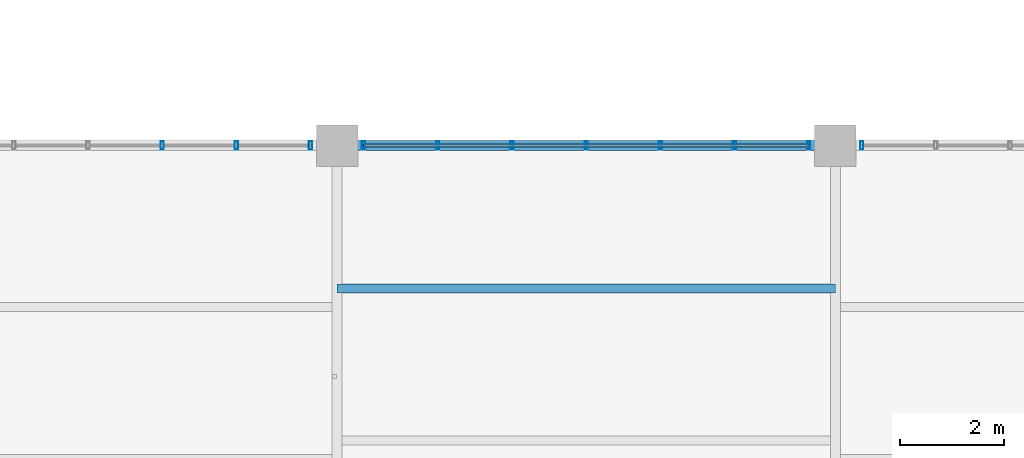
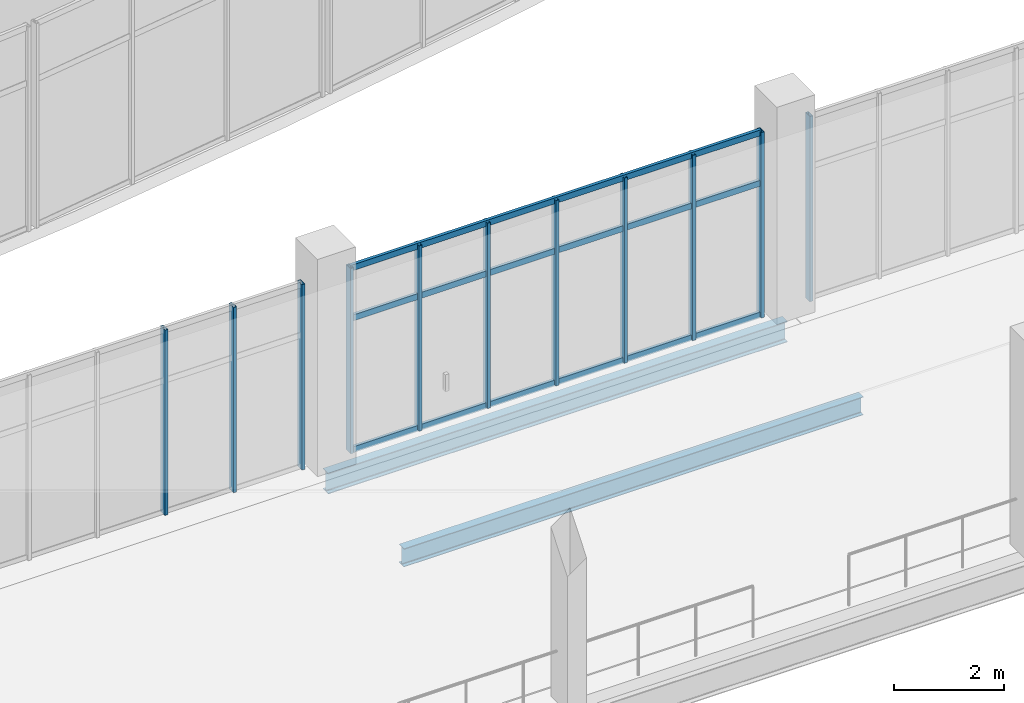
# One storey, part 63 of 157: 14 members, 2 beams, 3 elements without a shape of their own.
"""IFC4 building model written with IfcOpenShell, lengths in metres."""

import ifcopenshell
import ifcopenshell.guid

model = None  # the IFC model being written
_history = None  # IfcOwnerHistory: only IFC2X3 demands one
_inside = {}  # id of a spatial element -> (the spatial element, [elements in it])
_under = {}  # id of a project, library or spatial element -> (it, [spatial elements below it])
_declared = {}  # id of a project -> (the project, [libraries it declares])
_typed = {}  # id of a type object -> (the type object, [elements of that type])
_made_of = {}  # id of a material, layer set ... -> (it, [elements and type objects made of it])


def new_model(schema):
    """Start an empty IFC model of exactly this schema.

    Asked for "IFC4X3", IfcOpenShell would pick the latest addendum, in which some entities
    have other attributes; the version numbers below select the first issue.
    IFC2X3 requires an IfcOwnerHistory on every rooted entity: one is made here for all.
    """
    global model, _history
    if schema == "IFC4X3":
        model = ifcopenshell.file(schema_version=(4, 3, 0, 0))
    else:
        model = ifcopenshell.file(schema=schema)
    _inside.clear()
    _under.clear()
    _declared.clear()
    _typed.clear()
    _made_of.clear()
    _history = None
    if model.schema == "IFC2X3":
        org = make("IfcOrganization", Name="unknown")
        user = make(
            "IfcPersonAndOrganization",
            ThePerson=make("IfcPerson", FamilyName="unknown"),
            TheOrganization=org,
        )
        app = make(
            "IfcApplication",
            ApplicationDeveloper=org,
            Version="unknown",
            ApplicationFullName="unknown",
            ApplicationIdentifier="unknown",
        )
        _history = make(
            "IfcOwnerHistory",
            OwningUser=user,
            OwningApplication=app,
            ChangeAction="ADDED",
            CreationDate=0,
        )
    return model


def make(cls, **values):
    """One entity of the class cls with the attributes given. An attribute that is None is left unset."""
    return model.create_entity(
        cls, **{name: value for name, value in values.items() if value is not None}
    )


def rooted(cls, **values):
    """An entity with a GlobalId (a new one), such as an element, a storey or a relation."""
    return make(cls, GlobalId=ifcopenshell.guid.new(), OwnerHistory=_history, **values)


def si_unit(unit_type, name, prefix=None):
    """IfcSIUnit, for example si_unit("LENGTHUNIT", "METRE", prefix="MILLI")."""
    return make("IfcSIUnit", UnitType=unit_type, Prefix=prefix, Name=name)


def assignment(units):
    """IfcUnitAssignment: the units of a project."""
    return None if units is None else make("IfcUnitAssignment", Units=units)


def point(xyz):
    """IfcCartesianPoint."""
    return None if xyz is None else make("IfcCartesianPoint", Coordinates=xyz)


def direction(xyz):
    """IfcDirection."""
    return None if xyz is None else make("IfcDirection", DirectionRatios=xyz)


def frame(location, z_axis=None, x_axis=None):
    """IfcAxis2Placement3D, a coordinate frame: its origin and axes. An axis left out is left unset."""
    return make(
        "IfcAxis2Placement3D",
        Location=point(location),
        Axis=direction(z_axis),
        RefDirection=direction(x_axis),
    )


def frame_2d(location, x_axis=None):
    """IfcAxis2Placement2D, a coordinate frame in the plane: its origin and x axis."""
    return make(
        "IfcAxis2Placement2D", Location=point(location), RefDirection=direction(x_axis)
    )


def origin():
    """The frame at (0, 0, 0) with its axes left unset."""
    return frame((0.0, 0.0, 0.0))


def origin_2d():
    """The frame at (0, 0) in the plane with its x axis left unset."""
    return frame_2d((0.0, 0.0))


def place(relative_to, where):
    """IfcLocalPlacement: puts the frame where relative to a parent placement (None: the world)."""
    return make(
        "IfcLocalPlacement", PlacementRelTo=relative_to, RelativePlacement=where
    )


def context(
    kind, dimensions, precision=None, world=None, true_north=None, identifier=None
):
    """IfcGeometricRepresentationContext, for example the 3D "Model" context."""
    return make(
        "IfcGeometricRepresentationContext",
        ContextIdentifier=identifier,
        ContextType=kind,
        CoordinateSpaceDimension=dimensions,
        Precision=precision,
        WorldCoordinateSystem=world,
        TrueNorth=true_north,
    )


def subcontext(parent, identifier, kind, view, scale=None):
    """IfcGeometricRepresentationSubContext, for example "Body" below "Model"."""
    return make(
        "IfcGeometricRepresentationSubContext",
        ContextIdentifier=identifier,
        ContextType=kind,
        ParentContext=parent,
        TargetScale=scale,
        TargetView=view,
    )


def project(units=None, contexts=None):
    """IfcProject with its units and contexts."""
    return rooted(
        "IfcProject",
        Name="project",
        RepresentationContexts=contexts,
        UnitsInContext=assignment(units),
    )


def spatial(cls, under=None, at=None, **own):
    """A site, building, storey or space (cls), placed at a placement, below another one or the project."""
    s = rooted(cls, ObjectPlacement=at, **own)
    if under is not None:
        _under.setdefault(under.id(), (under, []))[1].append(s)
    return s


def profile(cls, at=None, kind="AREA", **sizes):
    """A parametric profile (cls). Its sizes go by their IFC names, for example OverallWidth=200.0."""
    return make(cls, ProfileType=kind, Position=at, **sizes)


def hollow_rectangle(**sizes):
    """IfcRectangleHollowProfileDef."""
    return profile("IfcRectangleHollowProfileDef", **sizes)


def i_section(**sizes):
    """IfcIShapeProfileDef."""
    return profile("IfcIShapeProfileDef", **sizes)


def extrude(swept, where, along, depth):
    """IfcExtrudedAreaSolid: the profile swept, set in the frame where, extruded along a direction by depth."""
    return make(
        "IfcExtrudedAreaSolid",
        SweptArea=swept,
        Position=where,
        ExtrudedDirection=direction(along),
        Depth=depth,
    )


def shape(context_of_items, identifier, shape_type, items):
    """IfcShapeRepresentation: the items that make up one representation, for example the "Body"."""
    return make(
        "IfcShapeRepresentation",
        ContextOfItems=context_of_items,
        RepresentationIdentifier=identifier,
        RepresentationType=shape_type,
        Items=items,
    )


def material(Name=None, Category=None):
    """IfcMaterial."""
    return make("IfcMaterial", Name=Name, Category=Category)


def layer(
    of_material, thickness, ventilated=None, Name=None, Category=None, Priority=None
):
    """IfcMaterialLayer: one layer of a wall or slab, of a material (None: an air gap)."""
    return make(
        "IfcMaterialLayer",
        Material=of_material,
        LayerThickness=thickness,
        IsVentilated=ventilated,
        Name=Name,
        Category=Category,
        Priority=Priority,
    )


def layer_set(layers, Name=None):
    """IfcMaterialLayerSet."""
    return make("IfcMaterialLayerSet", MaterialLayers=layers, LayerSetName=Name)


def material_profile(
    of_material, cross_section, Name=None, Category=None, Priority=None
):
    """IfcMaterialProfile: a cross section and its material."""
    return make(
        "IfcMaterialProfile",
        Name=Name,
        Material=of_material,
        Profile=cross_section,
        Priority=Priority,
        Category=Category,
    )


def profile_set(profiles, Name=None, composite=None):
    """IfcMaterialProfileSet."""
    return make(
        "IfcMaterialProfileSet",
        Name=Name,
        MaterialProfiles=profiles,
        CompositeProfile=composite,
    )


def made_of(thing, what):
    """Note that an element or type object is made of a material, layer set ...; save() writes the relation."""
    if what is not None:
        _made_of.setdefault(what.id(), (what, []))[1].append(thing)
    return thing


def type_object(cls, material=None, **own):
    """A type object (cls), such as IfcWallType, which elements share."""
    return made_of(rooted(cls, **own), material)


def element(
    cls,
    number,
    at=None,
    inside=None,
    cuts=None,
    type_object=None,
    material=None,
    context=None,
    identifier="Body",
    shape_type=None,
    held_by="IfcProductDefinitionShape",
    body=None,
    shapes=None,
    **own,
):
    """One element of the class cls, such as IfcWall. Its Tag is "e" and its number.

    at: its placement. inside: the storey or other place that contains it. cuts: it is an
    opening in that element (IfcRelVoidsElement). A single representation is given by context,
    identifier, shape_type and body (its items); several are given by shapes. held_by: the class
    of the entity that holds the representations. save() writes the other relations.
    """
    e = rooted(cls, Tag="e%d" % number, ObjectPlacement=at, **own)
    if body is not None:
        shapes = [shape(context, identifier, shape_type, body)]
    if shapes is not None:
        e.Representation = make(held_by, Representations=shapes)
    if inside is not None:
        _inside.setdefault(inside.id(), (inside, []))[1].append(e)
    if cuts is not None:
        rooted(
            "IfcRelVoidsElement", RelatingBuildingElement=cuts, RelatedOpeningElement=e
        )
    if type_object is not None:
        _typed.setdefault(type_object.id(), (type_object, []))[1].append(e)
    return made_of(e, material)


def aggregate(whole, parts):
    """IfcRelAggregates: a whole, such as a stair, and the parts it consists of."""
    return rooted("IfcRelAggregates", RelatingObject=whole, RelatedObjects=parts)


def save(model, path):
    """Write the relations noted so far, then the file.

    IfcRelAggregates (storeys below a building ...), IfcRelContainedInSpatialStructure (elements
    in a storey), IfcRelDefinesByType, IfcRelAssociatesMaterial and IfcRelDeclares: one each for
    every whole, place, type object, material and project.
    """
    for whole, parts in _under.values():
        aggregate(whole, parts)
    for where, things in _inside.values():
        rooted(
            "IfcRelContainedInSpatialStructure",
            RelatedElements=things,
            RelatingStructure=where,
        )
    for kind, things in _typed.values():
        rooted("IfcRelDefinesByType", RelatedObjects=things, RelatingType=kind)
    for what, things in _made_of.values():
        rooted("IfcRelAssociatesMaterial", RelatedObjects=things, RelatingMaterial=what)
    for by, libraries in _declared.values():
        rooted("IfcRelDeclares", RelatingContext=by, RelatedDefinitions=libraries)
    model.write(path)


model = new_model("IFC4")

# Units and contexts
model_context = context("Model", 3, precision=1e-05, world=origin(), true_north=direction((0.0, 1.0)))
body_context = subcontext(model_context, "Body", "Model", "MODEL_VIEW")
ifc_project = project(units=[si_unit("LENGTHUNIT", "METRE"), si_unit("AREAUNIT", "SQUARE_METRE"), si_unit("VOLUMEUNIT", "CUBIC_METRE"), si_unit("PLANEANGLEUNIT", "RADIAN"), si_unit("MASSUNIT", "GRAM", prefix="KILO")], contexts=[model_context])

# Site, building, storey
site_placement = place(None, origin())
site = spatial("IfcSite", under=ifc_project, at=site_placement, CompositionType="ELEMENT")
building_placement = place(site_placement, origin())
building = spatial("IfcBuilding", under=site, at=building_placement, Name="Chalmorin Arch Market", CompositionType="ELEMENT")
storey_placement = place(building_placement, frame((0.0, 0.0, 4.800048828125)))
storey = spatial("IfcBuildingStorey", under=building, at=storey_placement, Name="L01", CompositionType="ELEMENT", Elevation=4.800048828125)

# Curtain wall, members
ifc_material_1 = material(Name="Aluminium 6063-T6", Category="aluminium")
ifc_layer = layer(ifc_material_1, 0.159912109375)
ifc_layer_set = layer_set([ifc_layer], Name="Aluminium 6063-T6")
curtain_wall_type = type_object("IfcCurtainWallType", Name="MarketClerestoryCurtainWall-CW1-8580x4100", PredefinedType="NOTDEFINED", material=ifc_layer_set)
curtain_wall_1_placement = place(storey_placement, origin())
curtain_wall_1 = element("IfcCurtainWall", 1, at=curtain_wall_1_placement, inside=storey, type_object=curtain_wall_type, Name="CW-01-015", PredefinedType="NOTDEFINED")
ifc_material_profile_1 = material_profile(ifc_material_1, hollow_rectangle(XDim=0.06494140625, YDim=0.159912109375, WallThickness=0.00390625, at=origin_2d()), Name="ALU65X160X4")
ifc_profile_set_1 = profile_set([ifc_material_profile_1], Name="Aluminium 6063-T6")
member_type_1 = type_object("IfcMemberType", Name="CurtainWallMullion-65x160", PredefinedType="MULLION", material=ifc_profile_set_1)
member_1_placement = place(storey_placement, frame((92.6298828125, 58.800048828125, 0.0), z_axis=(0.0, 0.0, 1.0), x_axis=(1.0, 0.0, 0.0)))
member_1 = element("IfcMember", 2, at=member_1_placement, type_object=member_type_1, Name="ML-015-05", PredefinedType="MULLION", context=body_context, shape_type="SweptSolid", body=[
    extrude(hollow_rectangle(XDim=0.06494140625, YDim=0.159912109375, WallThickness=0.00390625, at=origin_2d()), origin(), (0.0, 0.0, 1.0), 4.095947265625),
])
member_2_placement = place(storey_placement, frame((94.06005859375, 58.800048828125, 0.0), z_axis=(0.0, 0.0, 1.0), x_axis=(1.0, 0.0, 0.0)))
member_2 = element("IfcMember", 3, at=member_2_placement, type_object=member_type_1, Name="ML-015-06", PredefinedType="MULLION", context=body_context, shape_type="SweptSolid", body=[
    extrude(hollow_rectangle(XDim=0.06494140625, YDim=0.159912109375, WallThickness=0.00390625, at=origin_2d()), origin(), (0.0, 0.0, 1.0), 4.095947265625),
])
member_3_placement = place(storey_placement, frame((95.489990234375, 58.800048828125, 0.0), z_axis=(0.0, 0.0, 1.0), x_axis=(1.0, 0.0, 0.0)))
member_3 = element("IfcMember", 4, at=member_3_placement, type_object=member_type_1, Name="ML-015-07", PredefinedType="MULLION", context=body_context, shape_type="SweptSolid", body=[
    extrude(hollow_rectangle(XDim=0.06494140625, YDim=0.159912109375, WallThickness=0.00390625, at=origin_2d()), origin(), (0.0, 0.0, 1.0), 4.095947265625),
])
aggregate(curtain_wall_1, [member_1, member_2, member_3])

curtain_wall_2_placement = place(storey_placement, origin())
curtain_wall_2 = element("IfcCurtainWall", 5, at=curtain_wall_2_placement, inside=storey, type_object=curtain_wall_type, Name="CW-01-018", PredefinedType="NOTDEFINED")
member_4_placement = place(storey_placement, frame((96.510009765625, 58.800048828125, 0.0), z_axis=(0.0, 0.0, 1.0), x_axis=(1.0, 0.0, 0.0)))
member_4 = element("IfcMember", 6, at=member_4_placement, type_object=member_type_1, Name="ML-018-01", PredefinedType="MULLION", context=body_context, shape_type="SweptSolid", body=[
    extrude(hollow_rectangle(XDim=0.06494140625, YDim=0.159912109375, WallThickness=0.00390625, at=origin_2d()), origin(), (0.0, 0.0, 1.0), 4.095947265625),
])
member_5_placement = place(storey_placement, frame((97.93994140625, 58.800048828125, 0.0), z_axis=(0.0, 0.0, 1.0), x_axis=(1.0, 0.0, 0.0)))
member_5 = element("IfcMember", 7, at=member_5_placement, type_object=member_type_1, Name="ML-018-02", PredefinedType="MULLION", context=body_context, shape_type="SweptSolid", body=[
    extrude(hollow_rectangle(XDim=0.06494140625, YDim=0.159912109375, WallThickness=0.00390625, at=origin_2d()), origin(), (0.0, 0.0, 1.0), 4.095947265625),
])
member_6_placement = place(storey_placement, frame((99.3701171875, 58.800048828125, 0.0), z_axis=(0.0, 0.0, 1.0), x_axis=(1.0, 0.0, 0.0)))
member_6 = element("IfcMember", 8, at=member_6_placement, type_object=member_type_1, Name="ML-018-03", PredefinedType="MULLION", context=body_context, shape_type="SweptSolid", body=[
    extrude(hollow_rectangle(XDim=0.06494140625, YDim=0.159912109375, WallThickness=0.00390625, at=origin_2d()), origin(), (0.0, 0.0, 1.0), 4.095947265625),
])
member_7_placement = place(storey_placement, frame((100.800048828125, 58.800048828125, 0.0), z_axis=(0.0, 0.0, 1.0), x_axis=(1.0, 0.0, 0.0)))
member_7 = element("IfcMember", 9, at=member_7_placement, type_object=member_type_1, Name="ML-018-04", PredefinedType="MULLION", context=body_context, shape_type="SweptSolid", body=[
    extrude(hollow_rectangle(XDim=0.06494140625, YDim=0.159912109375, WallThickness=0.00390625, at=origin_2d()), origin(), (0.0, 0.0, 1.0), 4.095947265625),
])
member_8_placement = place(storey_placement, frame((102.22998046875, 58.800048828125, 0.0), z_axis=(0.0, 0.0, 1.0), x_axis=(1.0, 0.0, 0.0)))
member_8 = element("IfcMember", 10, at=member_8_placement, type_object=member_type_1, Name="ML-018-05", PredefinedType="MULLION", context=body_context, shape_type="SweptSolid", body=[
    extrude(hollow_rectangle(XDim=0.06494140625, YDim=0.159912109375, WallThickness=0.00390625, at=origin_2d()), origin(), (0.0, 0.0, 1.0), 4.095947265625),
])
member_9_placement = place(storey_placement, frame((103.659912109375, 58.800048828125, 0.0), z_axis=(0.0, 0.0, 1.0), x_axis=(1.0, 0.0, 0.0)))
member_9 = element("IfcMember", 11, at=member_9_placement, type_object=member_type_1, Name="ML-018-06", PredefinedType="MULLION", context=body_context, shape_type="SweptSolid", body=[
    extrude(hollow_rectangle(XDim=0.06494140625, YDim=0.159912109375, WallThickness=0.00390625, at=origin_2d()), origin(), (0.0, 0.0, 1.0), 4.095947265625),
])
member_10_placement = place(storey_placement, frame((105.090087890625, 58.800048828125, 0.0), z_axis=(0.0, 0.0, 1.0), x_axis=(1.0, 0.0, 0.0)))
member_10 = element("IfcMember", 12, at=member_10_placement, type_object=member_type_1, Name="ML-018-07", PredefinedType="MULLION", context=body_context, shape_type="SweptSolid", body=[
    extrude(hollow_rectangle(XDim=0.06494140625, YDim=0.159912109375, WallThickness=0.00390625, at=origin_2d()), origin(), (0.0, 0.0, 1.0), 4.095947265625),
])

# Curtain wall, member
curtain_wall_3_placement = place(storey_placement, origin())
curtain_wall_3 = element("IfcCurtainWall", 13, at=curtain_wall_3_placement, inside=storey, type_object=curtain_wall_type, Name="CW-01-021", PredefinedType="NOTDEFINED")
member_11_placement = place(storey_placement, frame((106.110107421875, 58.800048828125, 0.0), z_axis=(0.0, 0.0, 1.0), x_axis=(1.0, 0.0, 0.0)))
member_11 = element("IfcMember", 14, at=member_11_placement, type_object=member_type_1, Name="ML-021-01", PredefinedType="MULLION", context=body_context, shape_type="SweptSolid", body=[
    extrude(hollow_rectangle(XDim=0.06494140625, YDim=0.159912109375, WallThickness=0.00390625, at=origin_2d()), origin(), (0.0, 0.0, 1.0), 4.095947265625),
])
aggregate(curtain_wall_3, [member_11])

# Member
ifc_material_profile_2 = material_profile(ifc_material_1, hollow_rectangle(XDim=0.06494140625, YDim=0.1298828125, WallThickness=0.00390625, at=origin_2d()), Name="ALU65X130X4")
ifc_profile_set_2 = profile_set([ifc_material_profile_2], Name="Aluminium 6063-T6")
member_type_2 = type_object("IfcMemberType", Name="CurtainWallTransom-65x130", PredefinedType="USERDEFINED", material=ifc_profile_set_2)
member_12_placement = place(storey_placement, frame((96.510009765625, 58.800048828125, 0.034912109375), z_axis=(1.0, 0.0, 0.0), x_axis=(0.0, 1.0, 0.0)))
member_12 = element("IfcMember", 15, at=member_12_placement, type_object=member_type_2, Name="TR-018-01", ObjectType="TRANSOM", PredefinedType="USERDEFINED", context=body_context, shape_type="SweptSolid", body=[
    extrude(hollow_rectangle(XDim=0.06494140625, YDim=0.1298828125, WallThickness=0.00390625, at=origin_2d()), origin(), (0.0, 0.0, 1.0), 8.580078125),
])

member_13_placement = place(storey_placement, frame((96.510009765625, 58.800048828125, 2.948974609375), z_axis=(1.0, 0.0, 0.0), x_axis=(0.0, 1.0, 0.0)))
member_13 = element("IfcMember", 16, at=member_13_placement, type_object=member_type_2, Name="TR-018-02", ObjectType="TRANSOM", PredefinedType="USERDEFINED", context=body_context, shape_type="SweptSolid", body=[
    extrude(hollow_rectangle(XDim=0.06494140625, YDim=0.1298828125, WallThickness=0.00390625, at=origin_2d()), origin(), (0.0, 0.0, 1.0), 8.580078125),
])

member_14_placement = place(storey_placement, frame((96.510009765625, 58.800048828125, 4.06103515625), z_axis=(1.0, 0.0, 0.0), x_axis=(0.0, 1.0, 0.0)))
member_14 = element("IfcMember", 17, at=member_14_placement, type_object=member_type_2, Name="TR-018-03", ObjectType="TRANSOM", PredefinedType="USERDEFINED", context=body_context, shape_type="SweptSolid", body=[
    extrude(hollow_rectangle(XDim=0.06494140625, YDim=0.1298828125, WallThickness=0.00390625, at=origin_2d()), origin(), (0.0, 0.0, 1.0), 8.580078125),
])

aggregate(curtain_wall_2, [member_4, member_5, member_6, member_7, member_8, member_9, member_10, member_12, member_13, member_14])

# Beams
ifc_material_2 = material(Name="Steel A992 Grade 50", Category="steel")
ifc_material_profile_3 = material_profile(ifc_material_2, i_section(OverallWidth=0.19091796875, OverallDepth=0.45703125, WebThickness=0.009033203125, FlangeThickness=0.014404296875, FilletRadius=0.02001953125, at=origin_2d()), Name="W18X50")
ifc_profile_set_3 = profile_set([ifc_material_profile_3], Name="Steel A992 Grade 50")
beam_type_1 = type_object("IfcBeamType", Name="PerimeterSpandrelBeam-W18X50", PredefinedType="SPANDREL", material=ifc_profile_set_3)
beam_1_placement = place(storey_placement, frame((96.0, 58.800048828125, -0.48046875), z_axis=(1.0, 0.0, 0.0), x_axis=(0.0, 1.0, 0.0)))
element("IfcBeam", 18, at=beam_1_placement, inside=storey, type_object=beam_type_1, Name="SP-W18-0656", PredefinedType="SPANDREL", context=body_context, shape_type="SweptSolid", body=[
    extrude(i_section(OverallWidth=0.19091796875, OverallDepth=0.45703125, WebThickness=0.009033203125, FlangeThickness=0.014404296875, FilletRadius=0.02001953125, at=origin_2d()), origin(), (0.0, 0.0, 1.0), 9.60009765625),
])
ifc_material_profile_4 = material_profile(ifc_material_2, i_section(OverallWidth=0.177978515625, OverallDepth=0.403076171875, WebThickness=0.007568359375, FlangeThickness=0.010986328125, FilletRadius=0.01806640625, at=origin_2d()), Name="W16X36")
ifc_profile_set_4 = profile_set([ifc_material_profile_4], Name="Steel A992 Grade 50")
beam_type_2 = type_object("IfcBeamType", Name="SecondaryFloorJoist-W16X36", PredefinedType="JOIST", material=ifc_profile_set_4)
beam_2_placement = place(storey_placement, frame((96.0, 56.046630859375, -0.45361328125), z_axis=(1.0, 0.0, 0.0), x_axis=(0.0, 1.0, 0.0)))
element("IfcBeam", 19, at=beam_2_placement, inside=storey, type_object=beam_type_2, Name="BJ-W16B-0673", PredefinedType="JOIST", context=body_context, shape_type="SweptSolid", body=[
    extrude(i_section(OverallWidth=0.177978515625, OverallDepth=0.403076171875, WebThickness=0.007568359375, FlangeThickness=0.010986328125, FilletRadius=0.01806640625, at=origin_2d()), origin(), (0.0, 0.0, 1.0), 9.60009765625),
])

save(model, "model.ifc")
